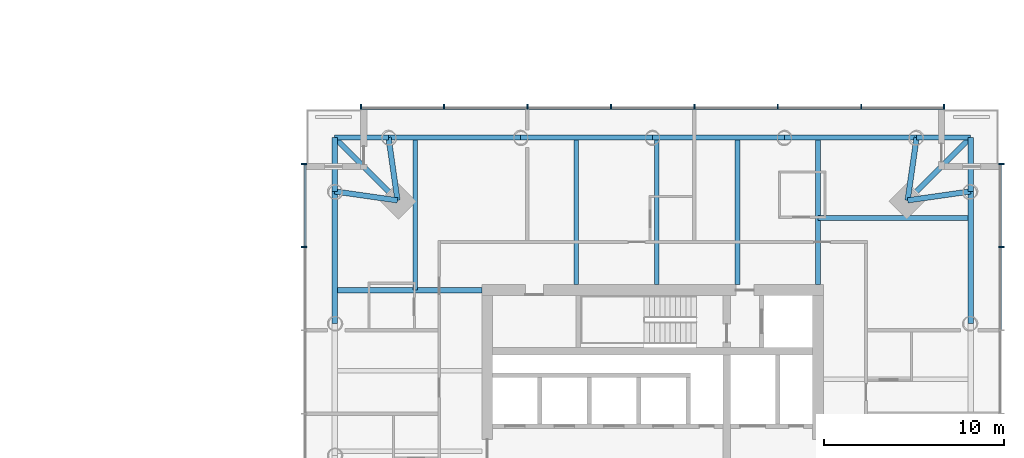
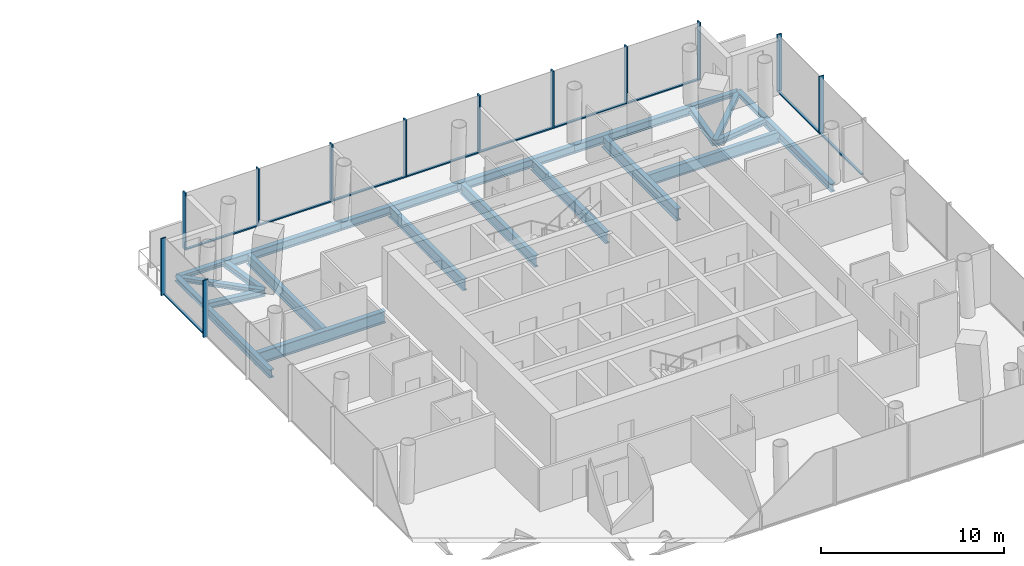
# One storey, part 6 of 26: 23 beams, 22 members, 3 elements without a shape of their own.
"""IFC4 building model written with IfcOpenShell, lengths in metres."""

from ifc_helpers import new_model, si_unit, direction, frame, origin, origin_2d, place, context, subcontext, project, spatial, rectangle, i_section, extrude, material, material_profile, profile_set, type_object, element, aggregate, save


model = new_model("IFC4")

# Units and contexts
model_context = context("Model", 3, precision=1e-05, world=origin(), true_north=direction((0.0, 1.0)))
body_context = subcontext(model_context, "Body", "Model", "MODEL_VIEW")
ifc_project = project(units=[si_unit("LENGTHUNIT", "METRE"), si_unit("AREAUNIT", "SQUARE_METRE"), si_unit("VOLUMEUNIT", "CUBIC_METRE"), si_unit("PLANEANGLEUNIT", "RADIAN"), si_unit("MASSUNIT", "GRAM", prefix="KILO")], contexts=[model_context])

# Site, building, storey
site_placement = place(None, origin())
site = spatial("IfcSite", under=ifc_project, at=site_placement, CompositionType="ELEMENT")
building_placement = place(site_placement, origin())
building = spatial("IfcBuilding", under=site, at=building_placement, Name="Ostroluk Exchange", CompositionType="ELEMENT")
storey_placement = place(building_placement, frame((0.0, 0.0, 51.39990234375)))
storey = spatial("IfcBuildingStorey", under=building, at=storey_placement, Name="L12", CompositionType="ELEMENT", Elevation=51.39990234375)

# Beams
ifc_material_1 = material(Name="Steel S355", Category="steel")
ifc_material_profile_1 = material_profile(ifc_material_1, i_section(OverallWidth=0.300048828125, OverallDepth=0.300048828125, WebThickness=0.010986328125, FlangeThickness=0.01904296875, FilletRadius=0.027099609375, at=origin_2d()), Name="HEB 300")
ifc_profile_set_1 = profile_set([ifc_material_profile_1], Name="Steel S355")
beam_type_1 = type_object("IfcBeamType", Name="Balcony beam HEB 300", PredefinedType="BEAM", material=ifc_profile_set_1)
for number, where, z_axis, x_axis, name in (
    (1, (134.689697265625, 60.689697265625, -0.349853515625), (0.0, 1.0, 0.0), (-1.0, 0.0, 0.0), "T2 east balcony beam a"),
    (2, (131.689697265625, 63.689697265625, -0.349853515625), (1.0, 0.0, 0.0), (0.0, 1.0, 0.0), "T2 east balcony beam b"),
):
    element("IfcBeam", number, at=place(storey_placement, frame(where, z_axis=z_axis, x_axis=x_axis)), inside=storey, type_object=beam_type_1, Name=name, PredefinedType="BEAM", context=body_context, shape_type="SweptSolid", body=[
        extrude(i_section(OverallWidth=0.300048828125, OverallDepth=0.300048828125, WebThickness=0.010986328125, FlangeThickness=0.01904296875, FilletRadius=0.027099609375, at=origin_2d()), origin(), (0.0, 0.0, 1.0), 3.0),
    ])
beam_1_placement = place(storey_placement, frame((131.189697265625, 60.189697265625, -0.349853515625), z_axis=(0.707106781187, 0.707106781187, 0.0), x_axis=(-0.707106781187, 0.707106781187, 0.0)))
element("IfcBeam", 3, at=beam_1_placement, inside=storey, type_object=beam_type_1, Name="T2 east balcony beam c", PredefinedType="BEAM", context=body_context, shape_type="SweptSolid", body=[
    extrude(i_section(OverallWidth=0.300048828125, OverallDepth=0.300048828125, WebThickness=0.010986328125, FlangeThickness=0.01904296875, FilletRadius=0.027099609375, at=origin_2d()), origin(), (0.0, 0.0, 1.0), 4.94970703125),
])
for number, where, z_axis, x_axis, name in (
    (4, (102.310302734375, 63.689697265625, -0.349853515625), (-1.0, 0.0, 0.0), (0.0, -1.0, 0.0), "T2 north balcony beam a"),
    (5, (99.310302734375, 60.689697265625, -0.349853515625), (0.0, 1.0, 0.0), (-1.0, 0.0, 0.0), "T2 north balcony beam b"),
):
    element("IfcBeam", number, at=place(storey_placement, frame(where, z_axis=z_axis, x_axis=x_axis)), inside=storey, type_object=beam_type_1, Name=name, PredefinedType="BEAM", context=body_context, shape_type="SweptSolid", body=[
        extrude(i_section(OverallWidth=0.300048828125, OverallDepth=0.300048828125, WebThickness=0.010986328125, FlangeThickness=0.01904296875, FilletRadius=0.027099609375, at=origin_2d()), origin(), (0.0, 0.0, 1.0), 3.0),
    ])
beam_2_placement = place(storey_placement, frame((102.810302734375, 60.189697265625, -0.349853515625), z_axis=(-0.707106781187, 0.707106781187, 0.0), x_axis=(-0.707106781187, -0.707106781187, 0.0)))
element("IfcBeam", 6, at=beam_2_placement, inside=storey, type_object=beam_type_1, Name="T2 north balcony beam c", PredefinedType="BEAM", context=body_context, shape_type="SweptSolid", body=[
    extrude(i_section(OverallWidth=0.300048828125, OverallDepth=0.300048828125, WebThickness=0.010986328125, FlangeThickness=0.01904296875, FilletRadius=0.027099609375, at=origin_2d()), origin(), (0.0, 0.0, 1.0), 4.94970703125),
])
ifc_material_2 = material(Name="Steel S355", Category="steel")
ifc_material_profile_2 = material_profile(ifc_material_2, i_section(OverallWidth=0.300048828125, OverallDepth=0.39990234375, WebThickness=0.013427734375, FlangeThickness=0.02392578125, FilletRadius=0.027099609375, at=origin_2d()), Name="HEB 400")
ifc_profile_set_2 = profile_set([ifc_material_profile_2], Name="Steel S355")
beam_type_2 = type_object("IfcBeamType", Name="Corner edge beam HEB 400", PredefinedType="SPANDREL", material=ifc_profile_set_2)
for number, where, z_axis, x_axis, name in (
    (7, (131.189697265625, 60.189697265625, -0.39990234375), (0.989949493661, 0.141421356237, 0.0), (-0.141421356237, 0.989949493661, 0.0), "T2 east corner edge beam a"),
    (8, (131.189697265625, 60.189697265625, -0.39990234375), (0.141421356237, 0.989949493661, 0.0), (-0.989949493661, 0.141421356237, 0.0), "T2 east corner edge beam b"),
    (9, (102.810302734375, 60.189697265625, -0.39990234375), (-0.141421356237, 0.989949493661, 0.0), (-0.989949493661, -0.141421356237, 0.0), "T2 north corner edge beam a"),
    (10, (102.810302734375, 60.189697265625, -0.39990234375), (-0.989949493661, 0.141421356237, 0.0), (-0.141421356237, -0.989949493661, 0.0), "T2 north corner edge beam b"),
):
    element("IfcBeam", number, at=place(storey_placement, frame(where, z_axis=z_axis, x_axis=x_axis)), inside=storey, type_object=beam_type_2, Name=name, PredefinedType="SPANDREL", context=body_context, shape_type="SweptSolid", body=[
        extrude(i_section(OverallWidth=0.300048828125, OverallDepth=0.39990234375, WebThickness=0.013427734375, FlangeThickness=0.02392578125, FilletRadius=0.027099609375, at=origin_2d()), origin(), (0.0, 0.0, 1.0), 3.53564453125),
    ])
ifc_material_3 = material(Name="Steel S355", Category="steel")
ifc_material_profile_3 = material_profile(ifc_material_3, i_section(OverallWidth=0.264892578125, OverallDepth=0.7529296875, WebThickness=0.01318359375, FlangeThickness=0.01708984375, FilletRadius=0.01708984375, at=origin_2d()), Name="IPE 750x147")
ifc_profile_set_3 = profile_set([ifc_material_profile_3], Name="Steel S355")
beam_type_3 = type_object("IfcBeamType", Name="Floor beam IPE 750x147", PredefinedType="BEAM", material=ifc_profile_set_3)
beam_3_placement = place(storey_placement, frame((126.199951171875, 59.2080078125, -0.576416015625), z_axis=(1.0, 0.0, 0.0), x_axis=(0.0, 1.0, 0.0)))
element("IfcBeam", 11, at=beam_3_placement, inside=storey, type_object=beam_type_3, Name="T2 east floor beam 5", PredefinedType="BEAM", context=body_context, shape_type="SweptSolid", body=[
    extrude(i_section(OverallWidth=0.264892578125, OverallDepth=0.7529296875, WebThickness=0.01318359375, FlangeThickness=0.01708984375, FilletRadius=0.01708984375, at=origin_2d()), origin(), (0.0, 0.0, 1.0), 8.48974609375),
])
for number, where, z_axis, x_axis, name in (
    (12, (121.718505859375, 55.5, -0.576416015625), (0.0, 1.0, 0.0), (-1.0, 0.0, 0.0), "T2 north floor beam 1"),
    (13, (117.23681640625, 55.5, -0.576416015625), (0.0, 1.0, 0.0), (-1.0, 0.0, 0.0), "T2 north floor beam 2"),
    (14, (112.755126953125, 55.5, -0.576416015625), (0.0, 1.0, 0.0), (-1.0, 0.0, 0.0), "T2 north floor beam 3"),
):
    element("IfcBeam", number, at=place(storey_placement, frame(where, z_axis=z_axis, x_axis=x_axis)), inside=storey, type_object=beam_type_3, Name=name, PredefinedType="BEAM", context=body_context, shape_type="SweptSolid", body=[
        extrude(i_section(OverallWidth=0.264892578125, OverallDepth=0.7529296875, WebThickness=0.01318359375, FlangeThickness=0.01708984375, FilletRadius=0.01708984375, at=origin_2d()), origin(), (0.0, 0.0, 1.0), 8.189697265625),
    ])
beam_4_placement = place(storey_placement, frame((103.7919921875, 55.199951171875, -0.576416015625), z_axis=(0.0, 1.0, 0.0), x_axis=(-1.0, 0.0, 0.0)))
element("IfcBeam", 15, at=beam_4_placement, inside=storey, type_object=beam_type_3, Name="T2 north floor beam 5", PredefinedType="BEAM", context=body_context, shape_type="SweptSolid", body=[
    extrude(i_section(OverallWidth=0.264892578125, OverallDepth=0.7529296875, WebThickness=0.01318359375, FlangeThickness=0.01708984375, FilletRadius=0.01708984375, at=origin_2d()), origin(), (0.0, 0.0, 1.0), 8.48974609375),
])
ifc_material_4 = material(Name="Steel S355", Category="steel")
ifc_material_profile_4 = material_profile(ifc_material_4, i_section(OverallWidth=0.300048828125, OverallDepth=0.800048828125, WebThickness=0.017578125, FlangeThickness=0.032958984375, FilletRadius=0.030029296875, at=origin_2d()), Name="HEB 800")
ifc_profile_set_4 = profile_set([ifc_material_profile_4], Name="Steel S355")
beam_type_4 = type_object("IfcBeamType", Name="Girder HEB 800", PredefinedType="BEAM", material=ifc_profile_set_4)
for number, where, z_axis, x_axis, name in (
    (16, (126.199951171875, 55.5, -0.599853515625), (0.0, 1.0, 0.0), (-1.0, 0.0, 0.0), "T2 east girder"),
    (17, (107.5, 55.199951171875, -0.599853515625), (-1.0, 0.0, 0.0), (0.0, -1.0, 0.0), "T2 north girder"),
):
    element("IfcBeam", number, at=place(storey_placement, frame(where, z_axis=z_axis, x_axis=x_axis)), inside=storey, type_object=beam_type_4, Name=name, PredefinedType="BEAM", context=body_context, shape_type="SweptSolid", body=[
        extrude(i_section(OverallWidth=0.300048828125, OverallDepth=0.800048828125, WebThickness=0.017578125, FlangeThickness=0.032958984375, FilletRadius=0.030029296875, at=origin_2d()), origin(), (0.0, 0.0, 1.0), 8.189697265625),
    ])
ifc_material_5 = material(Name="Steel S355", Category="steel")
ifc_material_profile_5 = material_profile(ifc_material_5, i_section(OverallWidth=0.300048828125, OverallDepth=0.550048828125, WebThickness=0.014892578125, FlangeThickness=0.029052734375, FilletRadius=0.027099609375, at=origin_2d()), Name="HEB 550")
ifc_profile_set_5 = profile_set([ifc_material_profile_5], Name="Steel S355")
beam_type_5 = type_object("IfcBeamType", Name="Moment-connected edge beam HEB 550", PredefinedType="SPANDREL", material=ifc_profile_set_5)
for number, where, z_axis, x_axis, name in (
    (18, (134.689697265625, 53.3447265625, -0.474853515625), (0.0, 1.0, 0.0), (-1.0, 0.0, 0.0), "T2 east edge beam 4"),
    (19, (131.689697265625, 63.689697265625, -0.474853515625), (-1.0, 0.0, 0.0), (0.0, -1.0, 0.0), "T2 north edge beam 1"),
):
    element("IfcBeam", number, at=place(storey_placement, frame(where, z_axis=z_axis, x_axis=x_axis)), inside=storey, type_object=beam_type_5, Name=name, PredefinedType="SPANDREL", context=body_context, shape_type="SweptSolid", body=[
        extrude(i_section(OverallWidth=0.300048828125, OverallDepth=0.550048828125, WebThickness=0.014892578125, FlangeThickness=0.029052734375, FilletRadius=0.027099609375, at=origin_2d()), origin(), (0.0, 0.0, 1.0), 7.344970703125),
    ])
for number, where, z_axis, x_axis, name in (
    (20, (124.3447265625, 63.689697265625, -0.474853515625), (-1.0, 0.0, 0.0), (0.0, -1.0, 0.0), "T2 north edge beam 2"),
    (21, (117.0, 63.689697265625, -0.474853515625), (-1.0, 0.0, 0.0), (0.0, -1.0, 0.0), "T2 north edge beam 3"),
):
    element("IfcBeam", number, at=place(storey_placement, frame(where, z_axis=z_axis, x_axis=x_axis)), inside=storey, type_object=beam_type_5, Name=name, PredefinedType="SPANDREL", context=body_context, shape_type="SweptSolid", body=[
        extrude(i_section(OverallWidth=0.300048828125, OverallDepth=0.550048828125, WebThickness=0.014892578125, FlangeThickness=0.029052734375, FilletRadius=0.027099609375, at=origin_2d()), origin(), (0.0, 0.0, 1.0), 7.3447265625),
    ])
for number, where, z_axis, x_axis, name in (
    (22, (109.6552734375, 63.689697265625, -0.474853515625), (-1.0, 0.0, 0.0), (0.0, -1.0, 0.0), "T2 north edge beam 4"),
    (23, (99.310302734375, 60.689697265625, -0.474853515625), (0.0, -1.0, 0.0), (1.0, 0.0, 0.0), "T2 west edge beam 1"),
):
    element("IfcBeam", number, at=place(storey_placement, frame(where, z_axis=z_axis, x_axis=x_axis)), inside=storey, type_object=beam_type_5, Name=name, PredefinedType="SPANDREL", context=body_context, shape_type="SweptSolid", body=[
        extrude(i_section(OverallWidth=0.300048828125, OverallDepth=0.550048828125, WebThickness=0.014892578125, FlangeThickness=0.029052734375, FilletRadius=0.027099609375, at=origin_2d()), origin(), (0.0, 0.0, 1.0), 7.344970703125),
    ])

# Curtain wall, members
ifc_material_6 = material(Name="Laminated clear glass", Category="glass")
curtain_wall_type = type_object("IfcCurtainWallType", Name="Hotel guest floor facade", PredefinedType="USERDEFINED", material=ifc_material_6)
curtain_wall_1_placement = place(storey_placement, origin())
curtain_wall_1 = element("IfcCurtainWall", 24, at=curtain_wall_1_placement, inside=storey, type_object=curtain_wall_type, Name="Hotel tower east facade L12", ObjectType="UNITISED CURTAIN WALL", PredefinedType="USERDEFINED")
ifc_material_7 = material(Name="Aluminium mullion", Category="aluminium")
ifc_material_profile_6 = material_profile(ifc_material_7, rectangle(XDim=0.14990234375, YDim=0.080078125, at=origin_2d()), Name="Sill transom 80 x 150")
ifc_profile_set_6 = profile_set([ifc_material_profile_6], Name="Aluminium mullion")
member_type_1 = type_object("IfcMemberType", Name="Sill transom 80 x 150", PredefinedType="USERDEFINED", material=ifc_profile_set_6)
member_1_placement = place(storey_placement, frame((136.324951171875, 53.00439453125, 0.0400390625), z_axis=(0.0, 1.0, 0.0), x_axis=(-1.0, 0.0, 0.0)))
member_1 = element("IfcMember", 25, at=member_1_placement, type_object=member_type_1, Name="CW-H1 transom 6.1", ObjectType="TRANSOM", PredefinedType="USERDEFINED", context=body_context, shape_type="SweptSolid", body=[
    extrude(rectangle(XDim=0.14990234375, YDim=0.080078125, at=origin_2d()), origin(), (0.0, 0.0, 1.0), 4.562744140625),
])
member_2_placement = place(storey_placement, frame((136.324951171875, 57.647216796875, 0.0400390625), z_axis=(0.0, 1.0, 0.0), x_axis=(-1.0, 0.0, 0.0)))
member_2 = element("IfcMember", 26, at=member_2_placement, type_object=member_type_1, Name="CW-H1 transom 7.1", ObjectType="TRANSOM", PredefinedType="USERDEFINED", context=body_context, shape_type="SweptSolid", body=[
    extrude(rectangle(XDim=0.14990234375, YDim=0.080078125, at=origin_2d()), origin(), (0.0, 0.0, 1.0), 4.522705078125),
])

curtain_wall_2_placement = place(storey_placement, origin())
curtain_wall_2 = element("IfcCurtainWall", 27, at=curtain_wall_2_placement, inside=storey, type_object=curtain_wall_type, Name="Hotel tower north facade L12", ObjectType="UNITISED CURTAIN WALL", PredefinedType="USERDEFINED")
member_3_placement = place(storey_placement, frame((133.169921875, 65.324951171875, 0.0400390625), z_axis=(-1.0, 0.0, 0.0), x_axis=(0.0, -1.0, 0.0)))
member_3 = element("IfcMember", 28, at=member_3_placement, type_object=member_type_1, Name="CW-H1 transom 1.1", ObjectType="TRANSOM", PredefinedType="USERDEFINED", context=body_context, shape_type="SweptSolid", body=[
    extrude(rectangle(XDim=0.14990234375, YDim=0.080078125, at=origin_2d()), origin(), (0.0, 0.0, 1.0), 4.522705078125),
])
member_4_placement = place(storey_placement, frame((128.567138671875, 65.324951171875, 0.0400390625), z_axis=(-1.0, 0.0, 0.0), x_axis=(0.0, -1.0, 0.0)))
member_4 = element("IfcMember", 29, at=member_4_placement, type_object=member_type_1, Name="CW-H1 transom 2.1", ObjectType="TRANSOM", PredefinedType="USERDEFINED", context=body_context, shape_type="SweptSolid", body=[
    extrude(rectangle(XDim=0.14990234375, YDim=0.080078125, at=origin_2d()), origin(), (0.0, 0.0, 1.0), 4.562744140625),
])
member_5_placement = place(storey_placement, frame((123.92431640625, 65.324951171875, 0.0400390625), z_axis=(-1.0, 0.0, 0.0), x_axis=(0.0, -1.0, 0.0)))
member_5 = element("IfcMember", 30, at=member_5_placement, type_object=member_type_1, Name="CW-H1 transom 3.1", ObjectType="TRANSOM", PredefinedType="USERDEFINED", context=body_context, shape_type="SweptSolid", body=[
    extrude(rectangle(XDim=0.14990234375, YDim=0.080078125, at=origin_2d()), origin(), (0.0, 0.0, 1.0), 4.56298828125),
])
member_6_placement = place(storey_placement, frame((119.281494140625, 65.324951171875, 0.0400390625), z_axis=(-1.0, 0.0, 0.0), x_axis=(0.0, -1.0, 0.0)))
member_6 = element("IfcMember", 31, at=member_6_placement, type_object=member_type_1, Name="CW-H1 transom 4.1", ObjectType="TRANSOM", PredefinedType="USERDEFINED", context=body_context, shape_type="SweptSolid", body=[
    extrude(rectangle(XDim=0.14990234375, YDim=0.080078125, at=origin_2d()), origin(), (0.0, 0.0, 1.0), 4.56298828125),
])
member_7_placement = place(storey_placement, frame((114.638671875, 65.324951171875, 0.0400390625), z_axis=(-1.0, 0.0, 0.0), x_axis=(0.0, -1.0, 0.0)))
member_7 = element("IfcMember", 32, at=member_7_placement, type_object=member_type_1, Name="CW-H1 transom 5.1", ObjectType="TRANSOM", PredefinedType="USERDEFINED", context=body_context, shape_type="SweptSolid", body=[
    extrude(rectangle(XDim=0.14990234375, YDim=0.080078125, at=origin_2d()), origin(), (0.0, 0.0, 1.0), 4.56298828125),
])
member_8_placement = place(storey_placement, frame((109.99560546875, 65.324951171875, 0.0400390625), z_axis=(-1.0, 0.0, 0.0), x_axis=(0.0, -1.0, 0.0)))
member_8 = element("IfcMember", 33, at=member_8_placement, type_object=member_type_1, Name="CW-H1 transom 6.1", ObjectType="TRANSOM", PredefinedType="USERDEFINED", context=body_context, shape_type="SweptSolid", body=[
    extrude(rectangle(XDim=0.14990234375, YDim=0.080078125, at=origin_2d()), origin(), (0.0, 0.0, 1.0), 4.562744140625),
])
member_9_placement = place(storey_placement, frame((105.352783203125, 65.324951171875, 0.0400390625), z_axis=(-1.0, 0.0, 0.0), x_axis=(0.0, -1.0, 0.0)))
member_9 = element("IfcMember", 34, at=member_9_placement, type_object=member_type_1, Name="CW-H1 transom 7.1", ObjectType="TRANSOM", PredefinedType="USERDEFINED", context=body_context, shape_type="SweptSolid", body=[
    extrude(rectangle(XDim=0.14990234375, YDim=0.080078125, at=origin_2d()), origin(), (0.0, 0.0, 1.0), 4.522705078125),
])

# Curtain wall, member
curtain_wall_3_placement = place(storey_placement, origin())
curtain_wall_3 = element("IfcCurtainWall", 35, at=curtain_wall_3_placement, inside=storey, type_object=curtain_wall_type, Name="Hotel tower west facade L12", ObjectType="UNITISED CURTAIN WALL", PredefinedType="USERDEFINED")
member_10_placement = place(storey_placement, frame((97.675048828125, 62.169921875, 0.0400390625), z_axis=(0.0, -1.0, 0.0), x_axis=(1.0, 0.0, 0.0)))
member_10 = element("IfcMember", 36, at=member_10_placement, type_object=member_type_1, Name="CW-H1 transom 1.1", ObjectType="TRANSOM", PredefinedType="USERDEFINED", context=body_context, shape_type="SweptSolid", body=[
    extrude(rectangle(XDim=0.14990234375, YDim=0.080078125, at=origin_2d()), origin(), (0.0, 0.0, 1.0), 4.522705078125),
])

# Member
ifc_material_8 = material(Name="Aluminium mullion with limestone facing", Category="masonry")
ifc_material_profile_7 = material_profile(ifc_material_8, rectangle(XDim=0.300048828125, YDim=0.080078125, at=origin_2d()), Name="Tracery mullion 80 x 300")
ifc_profile_set_7 = profile_set([ifc_material_profile_7], Name="Aluminium mullion with limestone facing")
member_type_2 = type_object("IfcMemberType", Name="Tracery mullion 80 x 300", PredefinedType="MULLION", material=ifc_profile_set_7)
member_11_placement = place(storey_placement, frame((136.39990234375, 57.607177734375, 0.0), z_axis=(0.0, 0.0, 1.0), x_axis=(-1.0, 0.0, 0.0)))
member_11 = element("IfcMember", 37, at=member_11_placement, type_object=member_type_2, Name="CW-H1 mullion 7", PredefinedType="MULLION", context=body_context, shape_type="SweptSolid", body=[
    extrude(rectangle(XDim=0.300048828125, YDim=0.080078125, at=origin_2d()), origin(), (0.0, 0.0, 1.0), 3.800048828125),
])

member_12_placement = place(storey_placement, frame((136.39990234375, 62.2099609375, 0.0), z_axis=(0.0, 0.0, 1.0), x_axis=(-1.0, 0.0, 0.0)))
member_12 = element("IfcMember", 38, at=member_12_placement, type_object=member_type_2, Name="CW-H1 mullion 8", PredefinedType="MULLION", context=body_context, shape_type="SweptSolid", body=[
    extrude(rectangle(XDim=0.300048828125, YDim=0.080078125, at=origin_2d()), origin(), (0.0, 0.0, 1.0), 3.800048828125),
])

aggregate(curtain_wall_1, [member_11, member_12, member_1, member_2])

member_13_placement = place(storey_placement, frame((133.2099609375, 65.39990234375, 0.0), z_axis=(0.0, 0.0, 1.0), x_axis=(0.0, -1.0, 0.0)))
member_13 = element("IfcMember", 39, at=member_13_placement, type_object=member_type_2, Name="CW-H1 mullion 1", PredefinedType="MULLION", context=body_context, shape_type="SweptSolid", body=[
    extrude(rectangle(XDim=0.300048828125, YDim=0.080078125, at=origin_2d()), origin(), (0.0, 0.0, 1.0), 3.800048828125),
])

member_14_placement = place(storey_placement, frame((128.607177734375, 65.39990234375, 0.0), z_axis=(0.0, 0.0, 1.0), x_axis=(0.0, -1.0, 0.0)))
member_14 = element("IfcMember", 40, at=member_14_placement, type_object=member_type_2, Name="CW-H1 mullion 2", PredefinedType="MULLION", context=body_context, shape_type="SweptSolid", body=[
    extrude(rectangle(XDim=0.300048828125, YDim=0.080078125, at=origin_2d()), origin(), (0.0, 0.0, 1.0), 3.800048828125),
])

member_15_placement = place(storey_placement, frame((123.96435546875, 65.39990234375, 0.0), z_axis=(0.0, 0.0, 1.0), x_axis=(0.0, -1.0, 0.0)))
member_15 = element("IfcMember", 41, at=member_15_placement, type_object=member_type_2, Name="CW-H1 mullion 3", PredefinedType="MULLION", context=body_context, shape_type="SweptSolid", body=[
    extrude(rectangle(XDim=0.300048828125, YDim=0.080078125, at=origin_2d()), origin(), (0.0, 0.0, 1.0), 3.800048828125),
])

member_16_placement = place(storey_placement, frame((119.321533203125, 65.39990234375, 0.0), z_axis=(0.0, 0.0, 1.0), x_axis=(0.0, -1.0, 0.0)))
member_16 = element("IfcMember", 42, at=member_16_placement, type_object=member_type_2, Name="CW-H1 mullion 4", PredefinedType="MULLION", context=body_context, shape_type="SweptSolid", body=[
    extrude(rectangle(XDim=0.300048828125, YDim=0.080078125, at=origin_2d()), origin(), (0.0, 0.0, 1.0), 3.800048828125),
])

member_17_placement = place(storey_placement, frame((114.678466796875, 65.39990234375, 0.0), z_axis=(0.0, 0.0, 1.0), x_axis=(0.0, -1.0, 0.0)))
member_17 = element("IfcMember", 43, at=member_17_placement, type_object=member_type_2, Name="CW-H1 mullion 5", PredefinedType="MULLION", context=body_context, shape_type="SweptSolid", body=[
    extrude(rectangle(XDim=0.300048828125, YDim=0.080078125, at=origin_2d()), origin(), (0.0, 0.0, 1.0), 3.800048828125),
])

member_18_placement = place(storey_placement, frame((110.03564453125, 65.39990234375, 0.0), z_axis=(0.0, 0.0, 1.0), x_axis=(0.0, -1.0, 0.0)))
member_18 = element("IfcMember", 44, at=member_18_placement, type_object=member_type_2, Name="CW-H1 mullion 6", PredefinedType="MULLION", context=body_context, shape_type="SweptSolid", body=[
    extrude(rectangle(XDim=0.300048828125, YDim=0.080078125, at=origin_2d()), origin(), (0.0, 0.0, 1.0), 3.800048828125),
])

member_19_placement = place(storey_placement, frame((105.392822265625, 65.39990234375, 0.0), z_axis=(0.0, 0.0, 1.0), x_axis=(0.0, -1.0, 0.0)))
member_19 = element("IfcMember", 45, at=member_19_placement, type_object=member_type_2, Name="CW-H1 mullion 7", PredefinedType="MULLION", context=body_context, shape_type="SweptSolid", body=[
    extrude(rectangle(XDim=0.300048828125, YDim=0.080078125, at=origin_2d()), origin(), (0.0, 0.0, 1.0), 3.800048828125),
])

member_20_placement = place(storey_placement, frame((100.7900390625, 65.39990234375, 0.0), z_axis=(0.0, 0.0, 1.0), x_axis=(0.0, -1.0, 0.0)))
member_20 = element("IfcMember", 46, at=member_20_placement, type_object=member_type_2, Name="CW-H1 mullion 8", PredefinedType="MULLION", context=body_context, shape_type="SweptSolid", body=[
    extrude(rectangle(XDim=0.300048828125, YDim=0.080078125, at=origin_2d()), origin(), (0.0, 0.0, 1.0), 3.800048828125),
])

aggregate(curtain_wall_2, [member_13, member_14, member_15, member_16, member_17, member_18, member_19, member_20, member_3, member_4, member_5, member_6, member_7, member_8, member_9])

member_21_placement = place(storey_placement, frame((97.60009765625, 62.2099609375, 0.0), z_axis=(0.0, 0.0, 1.0), x_axis=(1.0, 0.0, 0.0)))
member_21 = element("IfcMember", 47, at=member_21_placement, type_object=member_type_2, Name="CW-H1 mullion 1", PredefinedType="MULLION", context=body_context, shape_type="SweptSolid", body=[
    extrude(rectangle(XDim=0.300048828125, YDim=0.080078125, at=origin_2d()), origin(), (0.0, 0.0, 1.0), 3.800048828125),
])

member_22_placement = place(storey_placement, frame((97.60009765625, 57.607177734375, 0.0), z_axis=(0.0, 0.0, 1.0), x_axis=(1.0, 0.0, 0.0)))
member_22 = element("IfcMember", 48, at=member_22_placement, type_object=member_type_2, Name="CW-H1 mullion 2", PredefinedType="MULLION", context=body_context, shape_type="SweptSolid", body=[
    extrude(rectangle(XDim=0.300048828125, YDim=0.080078125, at=origin_2d()), origin(), (0.0, 0.0, 1.0), 3.800048828125),
])

aggregate(curtain_wall_3, [member_21, member_22, member_10])

save(model, "model.ifc")
